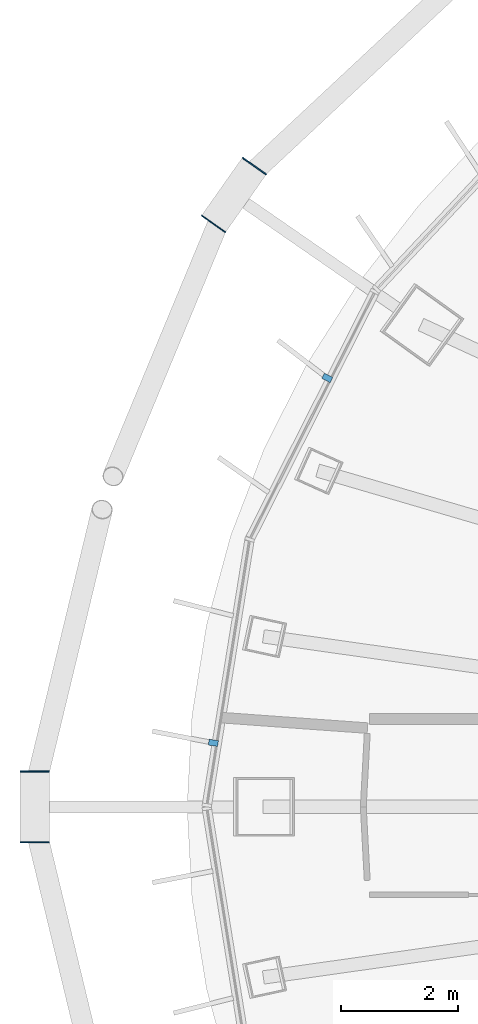
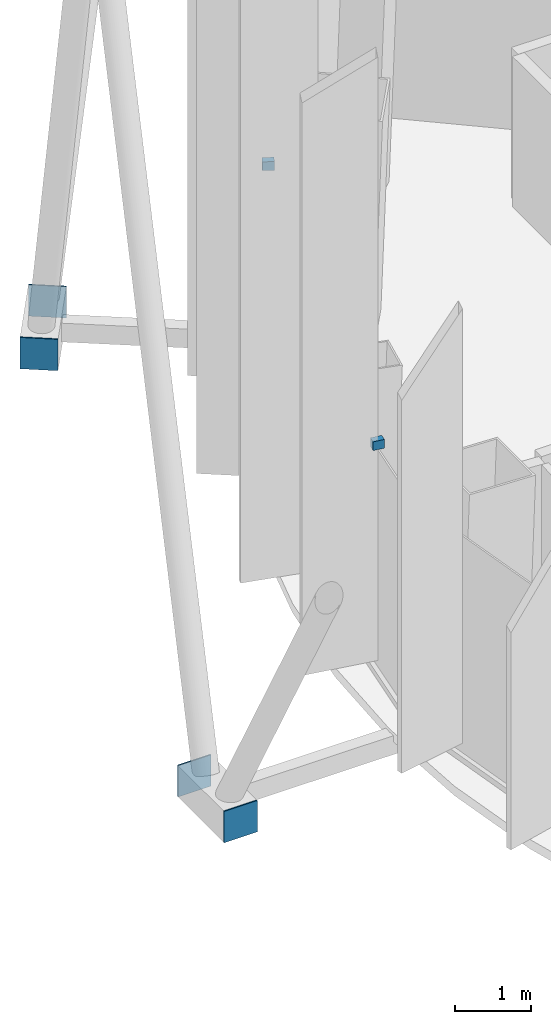
# One storey, part 14 of 20: 6 discrete accessories.
"""IFC4 building model written with IfcOpenShell, lengths in metres."""

from ifc_helpers import new_model, si_unit, direction, frame, origin, origin_2d, place, context, subcontext, project, spatial, rectangle, extrude, material, layer, layer_set, type_object, element, save


model = new_model("IFC4")

# Units and contexts
model_context = context("Model", 3, precision=1e-05, world=origin(), true_north=direction((0.0, 1.0)))
body_context = subcontext(model_context, "Body", "Model", "MODEL_VIEW")
ifc_project = project(units=[si_unit("LENGTHUNIT", "METRE"), si_unit("AREAUNIT", "SQUARE_METRE"), si_unit("VOLUMEUNIT", "CUBIC_METRE"), si_unit("PLANEANGLEUNIT", "RADIAN"), si_unit("MASSUNIT", "GRAM", prefix="KILO")], contexts=[model_context])

# Site, building, storey
site_placement = place(None, origin())
site = spatial("IfcSite", under=ifc_project, at=site_placement, CompositionType="ELEMENT")
building_placement = place(site_placement, origin())
building = spatial("IfcBuilding", under=site, at=building_placement, Name="Siaravel Broadcast Tower", CompositionType="ELEMENT")
storey_placement = place(building_placement, frame((0.0, 0.0, 228.199951171875)))
storey = spatial("IfcBuildingStorey", under=building, at=storey_placement, Name="L55", CompositionType="ELEMENT", Elevation=228.199951171875)

# Discrete accessories
ifc_material_1 = material(Name="Stainless steel 316", Category="steel")
discrete_accessory_type_1 = type_object("IfcDiscreteAccessoryType", Name="Stainless steel fin bracket", PredefinedType="USERDEFINED", material=ifc_material_1)
for number, where, z_axis, x_axis, name in (
    (1, (-19.442626953125, 7.318359375, 3.67529296875), (0.0, 0.0, 1.0), (-0.892392939, 0.451259174, 0.0), "Fin bracket L55-25"),
    (2, (-21.38720703125, 1.092529296875, 3.67529296875), (0.0, 0.0, 1.0), (-0.987329198, 0.158685394, 0.0), "Fin bracket L55-28"),
):
    element("IfcDiscreteAccessory", number, at=place(storey_placement, frame(where, z_axis=z_axis, x_axis=x_axis)), inside=storey, type_object=discrete_accessory_type_1, Name=name, ObjectType="BRACKET", PredefinedType="USERDEFINED", context=body_context, shape_type="SweptSolid", body=[
        extrude(rectangle(XDim=0.159912109375, YDim=0.10009765625, at=origin_2d()), origin(), (0.0, 0.0, 1.0), 0.139892578125),
    ])
ifc_material_2 = material(Name="Steel S355", Category="steel")
ifc_layer = layer(ifc_material_2, 0.02001953125)
ifc_layer_set = layer_set([ifc_layer], Name="Steel S355")
discrete_accessory_type_2 = type_object("IfcDiscreteAccessoryType", Name="Steel end plate 20 mm", PredefinedType="USERDEFINED", material=ifc_layer_set)
for number, where, z_axis, x_axis, name in (
    (3, (-21.383544921875, 9.947998046875, -0.449951171875), (0.0, 0.0, 1.0), (-0.576118513, -0.817366172, 0.0), "End plate R23 station 30A"),
    (4, (-20.688232421875, 10.934326171875, -0.449951171875), (0.0, 0.0, 1.0), (-0.576118513, -0.817366172, 0.0), "End plate R23 station 30B"),
    (5, (-24.436279296875, -0.603515625, -0.449951171875), (0.0, 0.0, 1.0), (0.0, -1.0, 0.0), "End plate R23 station 36A"),
    (6, (-24.436279296875, 0.603515625, -0.449951171875), (0.0, 0.0, 1.0), (0.0, -1.0, 0.0), "End plate R23 station 36B"),
):
    element("IfcDiscreteAccessory", number, at=place(storey_placement, frame(where, z_axis=z_axis, x_axis=x_axis)), inside=storey, type_object=discrete_accessory_type_2, Name=name, ObjectType="END PLATE", PredefinedType="USERDEFINED", context=body_context, shape_type="SweptSolid", body=[
        extrude(rectangle(XDim=0.02001953125, YDim=0.5, at=origin_2d()), origin(), (0.0, 0.0, 1.0), 0.5),
    ])

save(model, "model.ifc")
